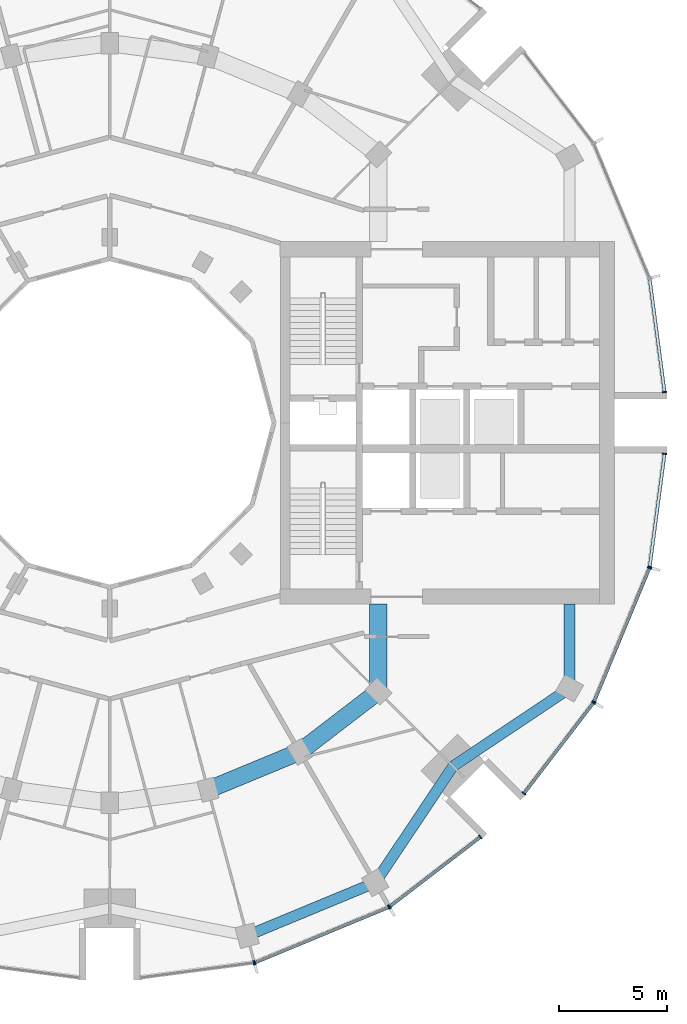
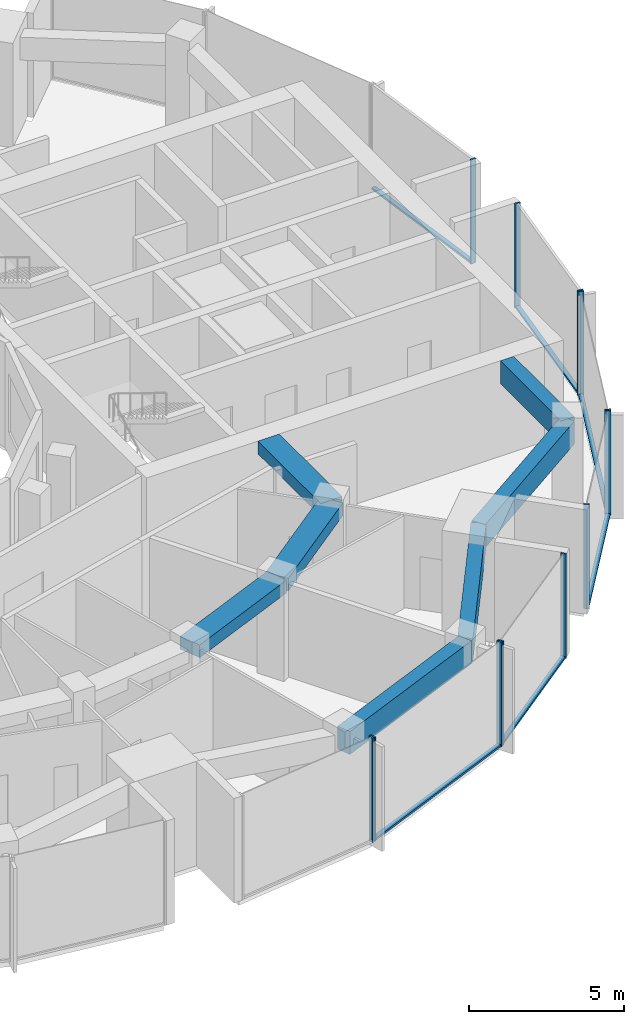
# One storey, part 4 of 15: 18 members, 7 beams, 7 elements without a shape of their own.
"""IFC4 building model written with IfcOpenShell, lengths in metres."""

from ifc_helpers import new_model, si_unit, direction, frame, origin, origin_2d, place, context, subcontext, project, spatial, rectangle, extrude, material, layer, layer_set, material_profile, profile_set, type_object, element, aggregate, save


model = new_model("IFC4")

# Units and contexts
model_context = context("Model", 3, precision=1e-05, world=origin(), true_north=direction((0.0, 1.0)))
body_context = subcontext(model_context, "Body", "Model", "MODEL_VIEW")
ifc_project = project(units=[si_unit("LENGTHUNIT", "METRE"), si_unit("AREAUNIT", "SQUARE_METRE"), si_unit("VOLUMEUNIT", "CUBIC_METRE"), si_unit("PLANEANGLEUNIT", "RADIAN"), si_unit("MASSUNIT", "GRAM", prefix="KILO")], contexts=[model_context])

# Site, building, storey
site_placement = place(None, origin())
site = spatial("IfcSite", under=ifc_project, at=site_placement, CompositionType="ELEMENT")
building_placement = place(site_placement, origin())
building = spatial("IfcBuilding", under=site, at=building_placement, Name="Torre Brocal", CompositionType="ELEMENT")
storey_placement = place(building_placement, frame((0.0, 0.0, 202.800048828125)))
storey = spatial("IfcBuildingStorey", under=building, at=storey_placement, Name="L47", CompositionType="ELEMENT", Elevation=202.800048828125)

# Curtain wall, member
ifc_material_1 = material(Name="Aluminium and glass", Category="aluminium")
ifc_layer_1 = layer(ifc_material_1, 0.199951171875)
ifc_layer_set_1 = layer_set([ifc_layer_1], Name="Aluminium and glass")
curtain_wall_type_1 = type_object("IfcCurtainWallType", Name="CW-1 CURTAIN WALL 4100 HIGH", PredefinedType="NOTDEFINED", material=ifc_layer_set_1)
curtain_wall_1_placement = place(storey_placement, origin())
curtain_wall_1 = element("IfcCurtainWall", 1, at=curtain_wall_1_placement, inside=storey, type_object=curtain_wall_type_1, Name="CW-1 RUN 19", PredefinedType="NOTDEFINED")
ifc_material_2 = material(Name="Aluminium, dark anodised", Category="aluminium")
ifc_material_profile_1 = material_profile(ifc_material_2, rectangle(XDim=0.199951171875, YDim=0.06005859375, at=origin_2d()), Name="CW-1 MULLION 60X200")
ifc_profile_set_1 = profile_set([ifc_material_profile_1], Name="Aluminium, dark anodised")
member_type_1 = type_object("IfcMemberType", Name="CW-1 MULLION 60X200", PredefinedType="MULLION", material=ifc_profile_set_1)
member_1_placement = place(storey_placement, frame((86.67333984375, 49.9794921875, 0.0), z_axis=(0.0, 0.0, 1.0), x_axis=(-0.13052619222, 0.991444861374, 0.0)))
member_1 = element("IfcMember", 2, at=member_1_placement, type_object=member_type_1, Name="CW1-4 mullion 2", PredefinedType="MULLION", context=body_context, shape_type="SweptSolid", body=[
    extrude(rectangle(XDim=0.199951171875, YDim=0.06005859375, at=origin_2d()), origin(), (0.0, 0.0, 1.0), 4.099853515625),
])
aggregate(curtain_wall_1, [member_1])

# Curtain wall, members
curtain_wall_2_placement = place(storey_placement, origin())
curtain_wall_2 = element("IfcCurtainWall", 3, at=curtain_wall_2_placement, inside=storey, type_object=curtain_wall_type_1, Name="CW-1 RUN 20", PredefinedType="NOTDEFINED")
member_2_placement = place(storey_placement, frame((86.73095703125, 49.994873046875, 0.0), z_axis=(0.0, 0.0, 1.0), x_axis=(-0.382683432333, 0.923879532525, 0.0)))
member_2 = element("IfcMember", 4, at=member_2_placement, type_object=member_type_1, Name="CW1-4 mullion 1", PredefinedType="MULLION", context=body_context, shape_type="SweptSolid", body=[
    extrude(rectangle(XDim=0.199951171875, YDim=0.06005859375, at=origin_2d()), origin(), (0.0, 0.0, 1.0), 4.099853515625),
])
member_3_placement = place(storey_placement, frame((92.921875, 52.559326171875, 0.0), z_axis=(0.0, 0.0, 1.0), x_axis=(-0.382683432333, 0.923879532525, 0.0)))
member_3 = element("IfcMember", 5, at=member_3_placement, type_object=member_type_1, Name="CW1-4 mullion 2", PredefinedType="MULLION", context=body_context, shape_type="SweptSolid", body=[
    extrude(rectangle(XDim=0.199951171875, YDim=0.06005859375, at=origin_2d()), origin(), (0.0, 0.0, 1.0), 4.099853515625),
])

curtain_wall_3_placement = place(storey_placement, origin())
curtain_wall_3 = element("IfcCurtainWall", 6, at=curtain_wall_3_placement, inside=storey, type_object=curtain_wall_type_1, Name="CW-1 RUN 21", PredefinedType="NOTDEFINED")
member_4_placement = place(storey_placement, frame((92.973388671875, 52.5888671875, 0.0), z_axis=(0.0, 0.0, 1.0), x_axis=(-0.60876142905, 0.793353340259, 0.0)))
member_4 = element("IfcMember", 7, at=member_4_placement, type_object=member_type_1, Name="CW1-4 mullion 1", PredefinedType="MULLION", context=body_context, shape_type="SweptSolid", body=[
    extrude(rectangle(XDim=0.199951171875, YDim=0.06005859375, at=origin_2d()), origin(), (0.0, 0.0, 1.0), 4.099853515625),
])
member_5_placement = place(storey_placement, frame((97.16943359375, 55.80859375, 0.0), z_axis=(0.0, 0.0, 1.0), x_axis=(-0.60876142905, 0.793353340259, 0.0)))
member_5 = element("IfcMember", 8, at=member_5_placement, type_object=member_type_1, Name="CW1-4 mullion 2", PredefinedType="MULLION", context=body_context, shape_type="SweptSolid", body=[
    extrude(rectangle(XDim=0.199951171875, YDim=0.06005859375, at=origin_2d()), origin(), (0.0, 0.0, 1.0), 4.099853515625),
])

curtain_wall_4_placement = place(storey_placement, origin())
curtain_wall_4 = element("IfcCurtainWall", 9, at=curtain_wall_4_placement, inside=storey, type_object=curtain_wall_type_1, Name="CW-1 RUN 22", PredefinedType="NOTDEFINED")
member_6_placement = place(storey_placement, frame((99.19140625, 57.83056640625, 0.0), z_axis=(0.0, 0.0, 1.0), x_axis=(-0.793353340259, 0.60876142905, 0.0)))
member_6 = element("IfcMember", 10, at=member_6_placement, type_object=member_type_1, Name="CW1-4 mullion 1", PredefinedType="MULLION", context=body_context, shape_type="SweptSolid", body=[
    extrude(rectangle(XDim=0.199951171875, YDim=0.06005859375, at=origin_2d()), origin(), (0.0, 0.0, 1.0), 4.099853515625),
])
member_7_placement = place(storey_placement, frame((102.4111328125, 62.026611328125, 0.0), z_axis=(0.0, 0.0, 1.0), x_axis=(-0.793353340259, 0.60876142905, 0.0)))
member_7 = element("IfcMember", 11, at=member_7_placement, type_object=member_type_1, Name="CW1-4 mullion 2", PredefinedType="MULLION", context=body_context, shape_type="SweptSolid", body=[
    extrude(rectangle(XDim=0.199951171875, YDim=0.06005859375, at=origin_2d()), origin(), (0.0, 0.0, 1.0), 4.099853515625),
])

curtain_wall_5_placement = place(storey_placement, origin())
curtain_wall_5 = element("IfcCurtainWall", 12, at=curtain_wall_5_placement, inside=storey, type_object=curtain_wall_type_1, Name="CW-1 RUN 23", PredefinedType="NOTDEFINED")
member_8_placement = place(storey_placement, frame((102.440673828125, 62.078125, 0.0), z_axis=(0.0, 0.0, 1.0), x_axis=(-0.923879532525, 0.382683432333, 0.0)))
member_8 = element("IfcMember", 13, at=member_8_placement, type_object=member_type_1, Name="CW1-4 mullion 1", PredefinedType="MULLION", context=body_context, shape_type="SweptSolid", body=[
    extrude(rectangle(XDim=0.199951171875, YDim=0.06005859375, at=origin_2d()), origin(), (0.0, 0.0, 1.0), 4.099853515625),
])
member_9_placement = place(storey_placement, frame((105.005126953125, 68.26904296875, 0.0), z_axis=(0.0, 0.0, 1.0), x_axis=(-0.923879532525, 0.382683432333, 0.0)))
member_9 = element("IfcMember", 14, at=member_9_placement, type_object=member_type_1, Name="CW1-4 mullion 2", PredefinedType="MULLION", context=body_context, shape_type="SweptSolid", body=[
    extrude(rectangle(XDim=0.199951171875, YDim=0.06005859375, at=origin_2d()), origin(), (0.0, 0.0, 1.0), 4.099853515625),
])

# Member
ifc_material_3 = material(Name="Aluminium, dark anodised", Category="aluminium")
ifc_material_profile_2 = material_profile(ifc_material_3, rectangle(XDim=0.159912109375, YDim=0.080078125, at=origin_2d()), Name="CW-1 TRANSOM 160X80")
ifc_profile_set_2 = profile_set([ifc_material_profile_2], Name="Aluminium, dark anodised")
member_type_2 = type_object("IfcMemberType", Name="CW-1 TRANSOM 160X80", PredefinedType="USERDEFINED", material=ifc_profile_set_2)
member_10_placement = place(storey_placement, frame((86.758544921875, 50.00634765625, 0.0400390625), z_axis=(0.923887344364, 0.38266457234, 0.0), x_axis=(-0.38266457234, 0.923887344364, 0.0)))
member_10 = element("IfcMember", 15, at=member_10_placement, type_object=member_type_2, Name="CW1-4 transom 1.1", ObjectType="TRANSOM", PredefinedType="USERDEFINED", context=body_context, shape_type="SweptSolid", body=[
    extrude(rectangle(XDim=0.159912109375, YDim=0.080078125, at=origin_2d()), origin(), (0.0, 0.0, 1.0), 6.640869140625),
])

aggregate(curtain_wall_2, [member_2, member_3, member_10])

member_11_placement = place(storey_placement, frame((92.9970703125, 52.607177734375, 0.0400390625), z_axis=(0.79336281513, 0.60874908096, 0.0), x_axis=(-0.60874908096, 0.79336281513, 0.0)))
member_11 = element("IfcMember", 16, at=member_11_placement, type_object=member_type_2, Name="CW1-4 transom 1.1", ObjectType="TRANSOM", PredefinedType="USERDEFINED", context=body_context, shape_type="SweptSolid", body=[
    extrude(rectangle(XDim=0.159912109375, YDim=0.080078125, at=origin_2d()), origin(), (0.0, 0.0, 1.0), 5.22900390625),
])

aggregate(curtain_wall_3, [member_4, member_5, member_11])

member_12_placement = place(storey_placement, frame((99.209716796875, 57.8544921875, 0.0400390625), z_axis=(0.60874908096, 0.79336281513, 0.0), x_axis=(-0.79336281513, 0.60874908096, 0.0)))
member_12 = element("IfcMember", 17, at=member_12_placement, type_object=member_type_2, Name="CW1-4 transom 1.1", ObjectType="TRANSOM", PredefinedType="USERDEFINED", context=body_context, shape_type="SweptSolid", body=[
    extrude(rectangle(XDim=0.159912109375, YDim=0.080078125, at=origin_2d()), origin(), (0.0, 0.0, 1.0), 5.22900390625),
])

aggregate(curtain_wall_4, [member_6, member_7, member_12])

member_13_placement = place(storey_placement, frame((102.452392578125, 62.10595703125, 0.0400390625), z_axis=(0.38266457234, 0.923887344364, 0.0), x_axis=(-0.923887344364, 0.38266457234, 0.0)))
member_13 = element("IfcMember", 18, at=member_13_placement, type_object=member_type_2, Name="CW1-4 transom 1.1", ObjectType="TRANSOM", PredefinedType="USERDEFINED", context=body_context, shape_type="SweptSolid", body=[
    extrude(rectangle(XDim=0.159912109375, YDim=0.080078125, at=origin_2d()), origin(), (0.0, 0.0, 1.0), 6.640869140625),
])

aggregate(curtain_wall_5, [member_8, member_9, member_13])

# Curtain wall, member
ifc_material_4 = material(Name="Aluminium and glass", Category="aluminium")
ifc_layer_2 = layer(ifc_material_4, 0.199951171875)
ifc_layer_set_2 = layer_set([ifc_layer_2], Name="Aluminium and glass")
curtain_wall_type_2 = type_object("IfcCurtainWallType", Name="CW-1B CURTAIN WALL 4100 HIGH", PredefinedType="NOTDEFINED", material=ifc_layer_set_2)
curtain_wall_6_placement = place(storey_placement, origin())
curtain_wall_6 = element("IfcCurtainWall", 19, at=curtain_wall_6_placement, inside=storey, type_object=curtain_wall_type_2, Name="CW-1B RUN 1", PredefinedType="NOTDEFINED")
ifc_material_5 = material(Name="Aluminium, dark anodised", Category="aluminium")
ifc_material_profile_3 = material_profile(ifc_material_5, rectangle(XDim=0.199951171875, YDim=0.06005859375, at=origin_2d()), Name="CW-1B MULLION 60X200")
ifc_profile_set_3 = profile_set([ifc_material_profile_3], Name="Aluminium, dark anodised")
member_type_3 = type_object("IfcMemberType", Name="CW-1B MULLION 60X200", PredefinedType="MULLION", material=ifc_profile_set_3)
member_14_placement = place(storey_placement, frame((105.7109375, 76.4296875, 0.0), z_axis=(0.0, 0.0, 1.0), x_axis=(-0.991444861374, -0.13052619222, 0.0)))
member_14 = element("IfcMember", 20, at=member_14_placement, type_object=member_type_3, Name="CW1B-4 mullion 1", PredefinedType="MULLION", context=body_context, shape_type="SweptSolid", body=[
    extrude(rectangle(XDim=0.199951171875, YDim=0.06005859375, at=origin_2d()), origin(), (0.0, 0.0, 1.0), 4.099853515625),
])

# Curtain wall, members
curtain_wall_7_placement = place(storey_placement, origin())
curtain_wall_7 = element("IfcCurtainWall", 21, at=curtain_wall_7_placement, inside=storey, type_object=curtain_wall_type_2, Name="CW-1B RUN 24", PredefinedType="NOTDEFINED")
member_15_placement = place(storey_placement, frame((105.0205078125, 68.32666015625, 0.0), z_axis=(0.0, 0.0, 1.0), x_axis=(-0.991444861374, 0.13052619222, 0.0)))
member_15 = element("IfcMember", 22, at=member_15_placement, type_object=member_type_3, Name="CW1B-4 mullion 1", PredefinedType="MULLION", context=body_context, shape_type="SweptSolid", body=[
    extrude(rectangle(XDim=0.199951171875, YDim=0.06005859375, at=origin_2d()), origin(), (0.0, 0.0, 1.0), 4.099853515625),
])
member_16_placement = place(storey_placement, frame((105.7109375, 73.5703125, 0.0), z_axis=(0.0, 0.0, 1.0), x_axis=(-0.991444861374, 0.13052619222, 0.0)))
member_16 = element("IfcMember", 23, at=member_16_placement, type_object=member_type_3, Name="CW1B-4 mullion 2", PredefinedType="MULLION", context=body_context, shape_type="SweptSolid", body=[
    extrude(rectangle(XDim=0.199951171875, YDim=0.06005859375, at=origin_2d()), origin(), (0.0, 0.0, 1.0), 4.099853515625),
])

# Member
ifc_material_6 = material(Name="Aluminium, dark anodised", Category="aluminium")
ifc_material_profile_4 = material_profile(ifc_material_6, rectangle(XDim=0.159912109375, YDim=0.080078125, at=origin_2d()), Name="CW-1B TRANSOM 160X80")
ifc_profile_set_4 = profile_set([ifc_material_profile_4], Name="Aluminium, dark anodised")
member_type_4 = type_object("IfcMemberType", Name="CW-1B TRANSOM 160X80", PredefinedType="USERDEFINED", material=ifc_profile_set_4)
member_17_placement = place(storey_placement, frame((105.70703125, 76.45947265625, 0.0400390625), z_axis=(-0.130542677827, 0.991442690863, 0.0), x_axis=(-0.991442690863, -0.130542677827, 0.0)))
member_17 = element("IfcMember", 24, at=member_17_placement, type_object=member_type_4, Name="CW1B-4 transom 1.1", ObjectType="TRANSOM", PredefinedType="USERDEFINED", context=body_context, shape_type="SweptSolid", body=[
    extrude(rectangle(XDim=0.159912109375, YDim=0.080078125, at=origin_2d()), origin(), (0.0, 0.0, 1.0), 5.22900390625),
])

aggregate(curtain_wall_6, [member_14, member_17])

member_18_placement = place(storey_placement, frame((105.0244140625, 68.356201171875, 0.0400390625), z_axis=(0.130542677827, 0.991442690863, 0.0), x_axis=(-0.991442690863, 0.130542677827, 0.0)))
member_18 = element("IfcMember", 25, at=member_18_placement, type_object=member_type_4, Name="CW1B-4 transom 1.1", ObjectType="TRANSOM", PredefinedType="USERDEFINED", context=body_context, shape_type="SweptSolid", body=[
    extrude(rectangle(XDim=0.159912109375, YDim=0.080078125, at=origin_2d()), origin(), (0.0, 0.0, 1.0), 5.22900390625),
])

aggregate(curtain_wall_7, [member_15, member_16, member_18])

# Beams
ifc_material_7 = material(Name="Concrete C50", Category="concrete")
ifc_material_profile_5 = material_profile(ifc_material_7, rectangle(XDim=0.800048828125, YDim=0.5, at=origin_2d()), Name="RC 800X500")
ifc_profile_set_5 = profile_set([ifc_material_profile_5], Name="Concrete C50")
beam_type_1 = type_object("IfcBeamType", Name="RC BEAM 800X500 C50 TOP 3750", PredefinedType="BEAM", material=ifc_profile_set_5)
beam_1_placement = place(storey_placement, frame((84.55517578125, 57.999755859375, 3.5), z_axis=(0.923878240166, 0.382686552348, 0.0), x_axis=(-0.382686552348, 0.923878240166, 0.0)))
element("IfcBeam", 26, at=beam_1_placement, inside=storey, type_object=beam_type_1, Name="Beam BT-34", PredefinedType="BEAM", context=body_context, shape_type="SweptSolid", body=[
    extrude(rectangle(XDim=0.800048828125, YDim=0.5, at=origin_2d()), origin(), (0.0, 0.0, 1.0), 4.5947265625),
])
beam_2_placement = place(storey_placement, frame((88.800048828125, 59.758056640625, 3.5), z_axis=(0.793358265959, 0.6087550097, 0.0), x_axis=(-0.6087550097, 0.793358265959, 0.0)))
element("IfcBeam", 27, at=beam_2_placement, inside=storey, type_object=beam_type_1, Name="Beam BT-34", PredefinedType="BEAM", context=body_context, shape_type="SweptSolid", body=[
    extrude(rectangle(XDim=0.800048828125, YDim=0.5, at=origin_2d()), origin(), (0.0, 0.0, 1.0), 4.594482421875),
])
beam_3_placement = place(storey_placement, frame((92.445068359375, 62.554931640625, 3.5), z_axis=(0.0, 1.0, 0.0), x_axis=(-1.0, 0.0, 0.0)))
element("IfcBeam", 28, at=beam_3_placement, inside=storey, type_object=beam_type_1, Name="Beam BT-34", PredefinedType="BEAM", context=body_context, shape_type="SweptSolid", body=[
    extrude(rectangle(XDim=0.800048828125, YDim=0.5, at=origin_2d()), origin(), (0.0, 0.0, 1.0), 4.045166015625),
])
ifc_material_8 = material(Name="Concrete C50", Category="concrete")
ifc_material_profile_6 = material_profile(ifc_material_8, rectangle(XDim=0.5, YDim=0.89990234375, at=origin_2d()), Name="RC 500X900")
ifc_profile_set_6 = profile_set([ifc_material_profile_6], Name="Concrete C50")
beam_type_2 = type_object("IfcBeamType", Name="RC SPANDREL BEAM 500X900 C50 TOP 3750", PredefinedType="SPANDREL", material=ifc_profile_set_6)
beam_4_placement = place(storey_placement, frame((86.366943359375, 51.23828125, 3.300048828125), z_axis=(0.923882462513, 0.382676358639, 0.0), x_axis=(-0.382676358639, 0.923882462513, 0.0)))
element("IfcBeam", 29, at=beam_4_placement, inside=storey, type_object=beam_type_2, Name="Beam BT-35", PredefinedType="SPANDREL", context=body_context, shape_type="SweptSolid", body=[
    extrude(rectangle(XDim=0.5, YDim=0.89990234375, at=origin_2d()), origin(), (0.0, 0.0, 1.0), 6.421875),
])
for number, where, z_axis, x_axis, name in (
    (30, (92.300048828125, 53.69580078125, 3.300048828125), (0.556157602282, 0.831076844476, 0.0), (-0.831076844476, 0.556157602282, 0.0), "Beam BT-35"),
    (31, (95.909912109375, 59.090087890625, 3.300048828125), (0.831076844476, 0.556157602282, 0.0), (-0.556157602282, 0.831076844476, 0.0), "Beam BT-35"),
):
    element("IfcBeam", number, at=place(storey_placement, frame(where, z_axis=z_axis, x_axis=x_axis)), inside=storey, type_object=beam_type_2, Name=name, PredefinedType="SPANDREL", context=body_context, shape_type="SweptSolid", body=[
        extrude(rectangle(XDim=0.5, YDim=0.89990234375, at=origin_2d()), origin(), (0.0, 0.0, 1.0), 6.49072265625),
    ])
beam_5_placement = place(storey_placement, frame((101.30419921875, 62.699951171875, 3.300048828125), z_axis=(0.0, 1.0, 0.0), x_axis=(-1.0, 0.0, 0.0)))
element("IfcBeam", 32, at=beam_5_placement, inside=storey, type_object=beam_type_2, Name="Beam BT-35", PredefinedType="SPANDREL", context=body_context, shape_type="SweptSolid", body=[
    extrude(rectangle(XDim=0.5, YDim=0.89990234375, at=origin_2d()), origin(), (0.0, 0.0, 1.0), 3.900146484375),
])

save(model, "model.ifc")
